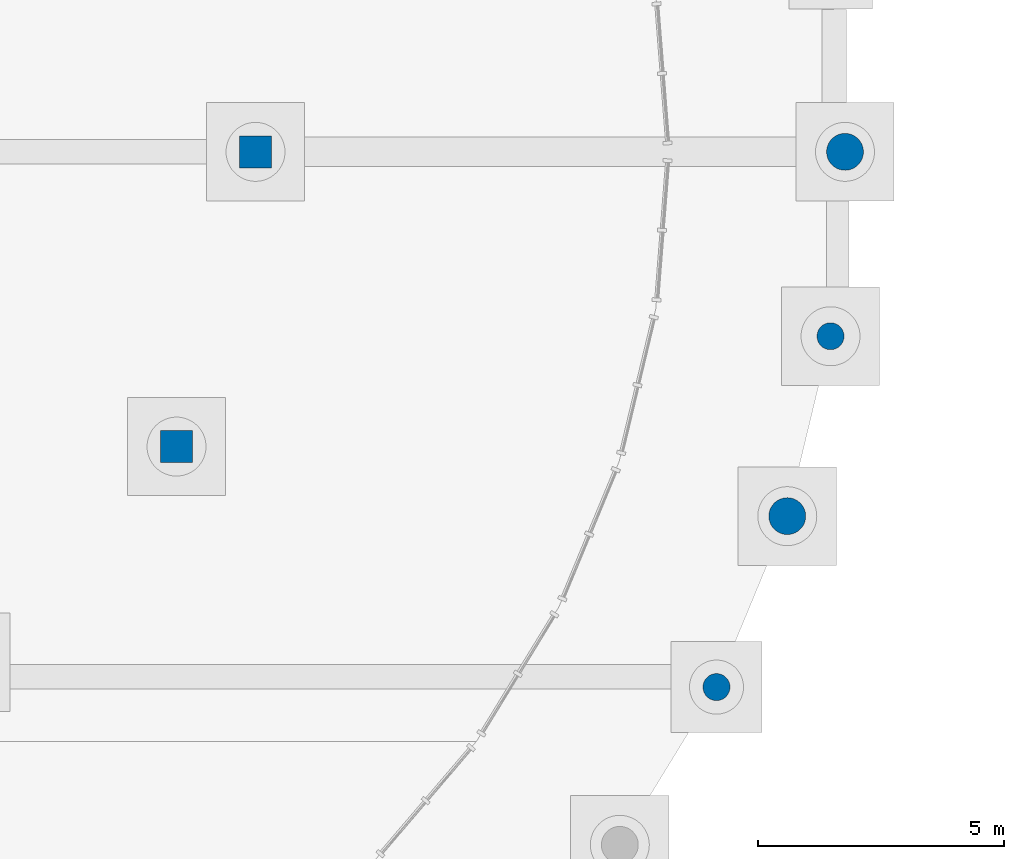
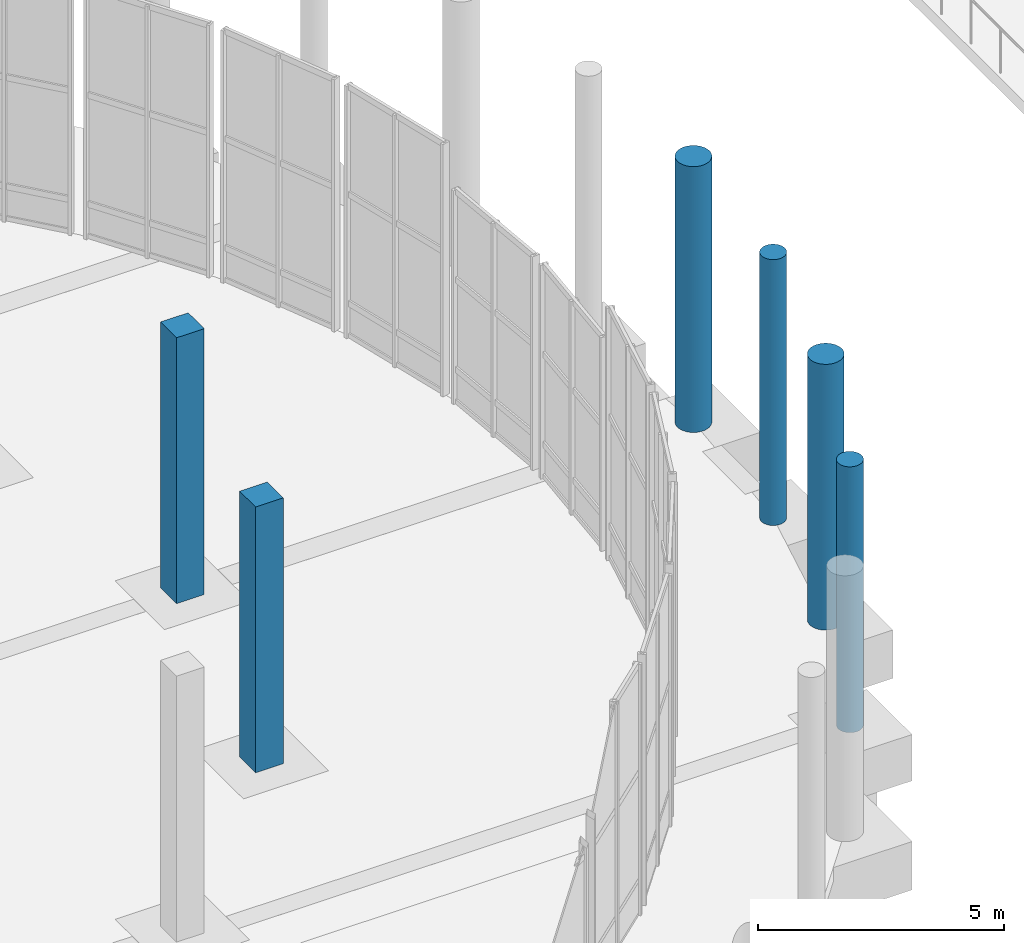
# One storey, part 41 of 117: 6 columns.
"""IFC4 building model written with IfcOpenShell, lengths in metres."""

import ifcopenshell
import ifcopenshell.guid

model = None  # the IFC model being written
_history = None  # IfcOwnerHistory: only IFC2X3 demands one
_inside = {}  # id of a spatial element -> (the spatial element, [elements in it])
_under = {}  # id of a project, library or spatial element -> (it, [spatial elements below it])
_declared = {}  # id of a project -> (the project, [libraries it declares])
_typed = {}  # id of a type object -> (the type object, [elements of that type])
_made_of = {}  # id of a material, layer set ... -> (it, [elements and type objects made of it])


def new_model(schema):
    """Start an empty IFC model of exactly this schema.

    Asked for "IFC4X3", IfcOpenShell would pick the latest addendum, in which some entities
    have other attributes; the version numbers below select the first issue.
    IFC2X3 requires an IfcOwnerHistory on every rooted entity: one is made here for all.
    """
    global model, _history
    if schema == "IFC4X3":
        model = ifcopenshell.file(schema_version=(4, 3, 0, 0))
    else:
        model = ifcopenshell.file(schema=schema)
    _inside.clear()
    _under.clear()
    _declared.clear()
    _typed.clear()
    _made_of.clear()
    _history = None
    if model.schema == "IFC2X3":
        org = make("IfcOrganization", Name="unknown")
        user = make(
            "IfcPersonAndOrganization",
            ThePerson=make("IfcPerson", FamilyName="unknown"),
            TheOrganization=org,
        )
        app = make(
            "IfcApplication",
            ApplicationDeveloper=org,
            Version="unknown",
            ApplicationFullName="unknown",
            ApplicationIdentifier="unknown",
        )
        _history = make(
            "IfcOwnerHistory",
            OwningUser=user,
            OwningApplication=app,
            ChangeAction="ADDED",
            CreationDate=0,
        )
    return model


def make(cls, **values):
    """One entity of the class cls with the attributes given. An attribute that is None is left unset."""
    return model.create_entity(
        cls, **{name: value for name, value in values.items() if value is not None}
    )


def rooted(cls, **values):
    """An entity with a GlobalId (a new one), such as an element, a storey or a relation."""
    return make(cls, GlobalId=ifcopenshell.guid.new(), OwnerHistory=_history, **values)


def si_unit(unit_type, name, prefix=None):
    """IfcSIUnit, for example si_unit("LENGTHUNIT", "METRE", prefix="MILLI")."""
    return make("IfcSIUnit", UnitType=unit_type, Prefix=prefix, Name=name)


def assignment(units):
    """IfcUnitAssignment: the units of a project."""
    return None if units is None else make("IfcUnitAssignment", Units=units)


def point(xyz):
    """IfcCartesianPoint."""
    return None if xyz is None else make("IfcCartesianPoint", Coordinates=xyz)


def direction(xyz):
    """IfcDirection."""
    return None if xyz is None else make("IfcDirection", DirectionRatios=xyz)


def frame(location, z_axis=None, x_axis=None):
    """IfcAxis2Placement3D, a coordinate frame: its origin and axes. An axis left out is left unset."""
    return make(
        "IfcAxis2Placement3D",
        Location=point(location),
        Axis=direction(z_axis),
        RefDirection=direction(x_axis),
    )


def frame_2d(location, x_axis=None):
    """IfcAxis2Placement2D, a coordinate frame in the plane: its origin and x axis."""
    return make(
        "IfcAxis2Placement2D", Location=point(location), RefDirection=direction(x_axis)
    )


def origin():
    """The frame at (0, 0, 0) with its axes left unset."""
    return frame((0.0, 0.0, 0.0))


def origin_2d():
    """The frame at (0, 0) in the plane with its x axis left unset."""
    return frame_2d((0.0, 0.0))


def place(relative_to, where):
    """IfcLocalPlacement: puts the frame where relative to a parent placement (None: the world)."""
    return make(
        "IfcLocalPlacement", PlacementRelTo=relative_to, RelativePlacement=where
    )


def context(
    kind, dimensions, precision=None, world=None, true_north=None, identifier=None
):
    """IfcGeometricRepresentationContext, for example the 3D "Model" context."""
    return make(
        "IfcGeometricRepresentationContext",
        ContextIdentifier=identifier,
        ContextType=kind,
        CoordinateSpaceDimension=dimensions,
        Precision=precision,
        WorldCoordinateSystem=world,
        TrueNorth=true_north,
    )


def subcontext(parent, identifier, kind, view, scale=None):
    """IfcGeometricRepresentationSubContext, for example "Body" below "Model"."""
    return make(
        "IfcGeometricRepresentationSubContext",
        ContextIdentifier=identifier,
        ContextType=kind,
        ParentContext=parent,
        TargetScale=scale,
        TargetView=view,
    )


def project(units=None, contexts=None):
    """IfcProject with its units and contexts."""
    return rooted(
        "IfcProject",
        Name="project",
        RepresentationContexts=contexts,
        UnitsInContext=assignment(units),
    )


def spatial(cls, under=None, at=None, **own):
    """A site, building, storey or space (cls), placed at a placement, below another one or the project."""
    s = rooted(cls, ObjectPlacement=at, **own)
    if under is not None:
        _under.setdefault(under.id(), (under, []))[1].append(s)
    return s


def profile(cls, at=None, kind="AREA", **sizes):
    """A parametric profile (cls). Its sizes go by their IFC names, for example OverallWidth=200.0."""
    return make(cls, ProfileType=kind, Position=at, **sizes)


def rectangle(**sizes):
    """IfcRectangleProfileDef."""
    return profile("IfcRectangleProfileDef", **sizes)


def circle(**sizes):
    """IfcCircleProfileDef."""
    return profile("IfcCircleProfileDef", **sizes)


def extrude(swept, where, along, depth):
    """IfcExtrudedAreaSolid: the profile swept, set in the frame where, extruded along a direction by depth."""
    return make(
        "IfcExtrudedAreaSolid",
        SweptArea=swept,
        Position=where,
        ExtrudedDirection=direction(along),
        Depth=depth,
    )


def shape(context_of_items, identifier, shape_type, items):
    """IfcShapeRepresentation: the items that make up one representation, for example the "Body"."""
    return make(
        "IfcShapeRepresentation",
        ContextOfItems=context_of_items,
        RepresentationIdentifier=identifier,
        RepresentationType=shape_type,
        Items=items,
    )


def material(Name=None, Category=None):
    """IfcMaterial."""
    return make("IfcMaterial", Name=Name, Category=Category)


def material_profile(
    of_material, cross_section, Name=None, Category=None, Priority=None
):
    """IfcMaterialProfile: a cross section and its material."""
    return make(
        "IfcMaterialProfile",
        Name=Name,
        Material=of_material,
        Profile=cross_section,
        Priority=Priority,
        Category=Category,
    )


def profile_set(profiles, Name=None, composite=None):
    """IfcMaterialProfileSet."""
    return make(
        "IfcMaterialProfileSet",
        Name=Name,
        MaterialProfiles=profiles,
        CompositeProfile=composite,
    )


def made_of(thing, what):
    """Note that an element or type object is made of a material, layer set ...; save() writes the relation."""
    if what is not None:
        _made_of.setdefault(what.id(), (what, []))[1].append(thing)
    return thing


def type_object(cls, material=None, **own):
    """A type object (cls), such as IfcWallType, which elements share."""
    return made_of(rooted(cls, **own), material)


def element(
    cls,
    number,
    at=None,
    inside=None,
    cuts=None,
    type_object=None,
    material=None,
    context=None,
    identifier="Body",
    shape_type=None,
    held_by="IfcProductDefinitionShape",
    body=None,
    shapes=None,
    **own,
):
    """One element of the class cls, such as IfcWall. Its Tag is "e" and its number.

    at: its placement. inside: the storey or other place that contains it. cuts: it is an
    opening in that element (IfcRelVoidsElement). A single representation is given by context,
    identifier, shape_type and body (its items); several are given by shapes. held_by: the class
    of the entity that holds the representations. save() writes the other relations.
    """
    e = rooted(cls, Tag="e%d" % number, ObjectPlacement=at, **own)
    if body is not None:
        shapes = [shape(context, identifier, shape_type, body)]
    if shapes is not None:
        e.Representation = make(held_by, Representations=shapes)
    if inside is not None:
        _inside.setdefault(inside.id(), (inside, []))[1].append(e)
    if cuts is not None:
        rooted(
            "IfcRelVoidsElement", RelatingBuildingElement=cuts, RelatedOpeningElement=e
        )
    if type_object is not None:
        _typed.setdefault(type_object.id(), (type_object, []))[1].append(e)
    return made_of(e, material)


def aggregate(whole, parts):
    """IfcRelAggregates: a whole, such as a stair, and the parts it consists of."""
    return rooted("IfcRelAggregates", RelatingObject=whole, RelatedObjects=parts)


def save(model, path):
    """Write the relations noted so far, then the file.

    IfcRelAggregates (storeys below a building ...), IfcRelContainedInSpatialStructure (elements
    in a storey), IfcRelDefinesByType, IfcRelAssociatesMaterial and IfcRelDeclares: one each for
    every whole, place, type object, material and project.
    """
    for whole, parts in _under.values():
        aggregate(whole, parts)
    for where, things in _inside.values():
        rooted(
            "IfcRelContainedInSpatialStructure",
            RelatedElements=things,
            RelatingStructure=where,
        )
    for kind, things in _typed.values():
        rooted("IfcRelDefinesByType", RelatedObjects=things, RelatingType=kind)
    for what, things in _made_of.values():
        rooted("IfcRelAssociatesMaterial", RelatedObjects=things, RelatingMaterial=what)
    for by, libraries in _declared.values():
        rooted("IfcRelDeclares", RelatingContext=by, RelatedDefinitions=libraries)
    model.write(path)


model = new_model("IFC4")

# Units and contexts
model_context = context("Model", 3, precision=1e-05, world=origin(), true_north=direction((0.0, 1.0)))
body_context = subcontext(model_context, "Body", "Model", "MODEL_VIEW")
ifc_project = project(units=[si_unit("LENGTHUNIT", "METRE"), si_unit("AREAUNIT", "SQUARE_METRE"), si_unit("VOLUMEUNIT", "CUBIC_METRE"), si_unit("PLANEANGLEUNIT", "RADIAN"), si_unit("MASSUNIT", "GRAM", prefix="KILO")], contexts=[model_context])

# Site, building, storey
site_placement = place(None, origin())
site = spatial("IfcSite", under=ifc_project, at=site_placement, CompositionType="ELEMENT")
building_placement = place(site_placement, origin())
building = spatial("IfcBuilding", under=site, at=building_placement, Name="Kamomehara Wholesale Market", CompositionType="ELEMENT")
storey_placement = place(building_placement, origin())
storey = spatial("IfcBuildingStorey", under=building, at=storey_placement, Name="L00", CompositionType="ELEMENT", Elevation=0.0)

# Columns
ifc_material_1 = material(Name="Precast concrete Fc45 (C40/50)", Category="concrete")
ifc_material_profile_1 = material_profile(ifc_material_1, circle(Radius=0.27490234375, at=origin_2d()), Name="PC-ARC-D550")
ifc_profile_set_1 = profile_set([ifc_material_profile_1], Name="Precast concrete Fc45 (C40/50)")
column_type_1 = type_object("IfcColumnType", Name="COL-ARC550-EXT", PredefinedType="COLUMN", material=ifc_profile_set_1)
for number, where, z_axis, x_axis, name in (
    (1, (201.384033203125, 121.10400390625, 0.0), (0.0, 0.0, 1.0), (1.0, 0.0, 0.0), "Column CA-03E L00"),
    (2, (203.705078125, 128.24609375, 0.0), (0.0, 0.0, 1.0), (1.0, 0.0, 0.0), "Column CA-03E L00"),
):
    element("IfcColumn", number, at=place(storey_placement, frame(where, z_axis=z_axis, x_axis=x_axis)), inside=storey, type_object=column_type_1, Name=name, PredefinedType="COLUMN", context=body_context, shape_type="SweptSolid", body=[
        extrude(circle(Radius=0.27490234375, at=origin_2d()), origin(), (0.0, 0.0, 1.0), 6.60009765625),
    ])
ifc_material_2 = material(Name="Precast concrete Fc45 (C40/50)", Category="concrete")
ifc_material_profile_2 = material_profile(ifc_material_2, circle(Radius=0.375, at=origin_2d()), Name="PC-ARC-D750")
ifc_profile_set_2 = profile_set([ifc_material_profile_2], Name="Precast concrete Fc45 (C40/50)")
column_type_2 = type_object("IfcColumnType", Name="COL-ARC750", PredefinedType="COLUMN", material=ifc_profile_set_2)
for number, where, z_axis, x_axis, name in (
    (3, (202.824951171875, 124.583984375, 0.0), (0.0, 0.0, 1.0), (1.0, 0.0, 0.0), "Column CA-02 L00"),
    (4, (204.0, 132.0, 0.0), (0.0, 0.0, 1.0), (1.0, 0.0, 0.0), "Column CA-02 L00"),
):
    element("IfcColumn", number, at=place(storey_placement, frame(where, z_axis=z_axis, x_axis=x_axis)), inside=storey, type_object=column_type_2, Name=name, PredefinedType="COLUMN", context=body_context, shape_type="SweptSolid", body=[
        extrude(circle(Radius=0.375, at=origin_2d()), origin(), (0.0, 0.0, 1.0), 6.60009765625),
    ])
ifc_material_3 = material(Name="Precast concrete Fc45 (C40/50)", Category="concrete")
ifc_material_profile_3 = material_profile(ifc_material_3, rectangle(XDim=0.64990234375, YDim=0.64990234375, at=origin_2d()), Name="PC-COL-650x650")
ifc_profile_set_3 = profile_set([ifc_material_profile_3], Name="Precast concrete Fc45 (C40/50)")
column_type_3 = type_object("IfcColumnType", Name="COL-PC650", PredefinedType="COLUMN", material=ifc_profile_set_3)
for number, where, z_axis, x_axis, name in (
    (5, (190.39208984375, 126.0, 0.0), (0.0, 0.0, 1.0), (1.0, 0.0, 0.0), "Column C-06 L00"),
    (6, (192.0, 132.0, 0.0), (0.0, 0.0, 1.0), (1.0, 0.0, 0.0), "Column C-06 L00"),
):
    element("IfcColumn", number, at=place(storey_placement, frame(where, z_axis=z_axis, x_axis=x_axis)), inside=storey, type_object=column_type_3, Name=name, PredefinedType="COLUMN", context=body_context, shape_type="SweptSolid", body=[
        extrude(rectangle(XDim=0.64990234375, YDim=0.64990234375, at=origin_2d()), origin(), (0.0, 0.0, 1.0), 6.60009765625),
    ])

save(model, "model.ifc")
